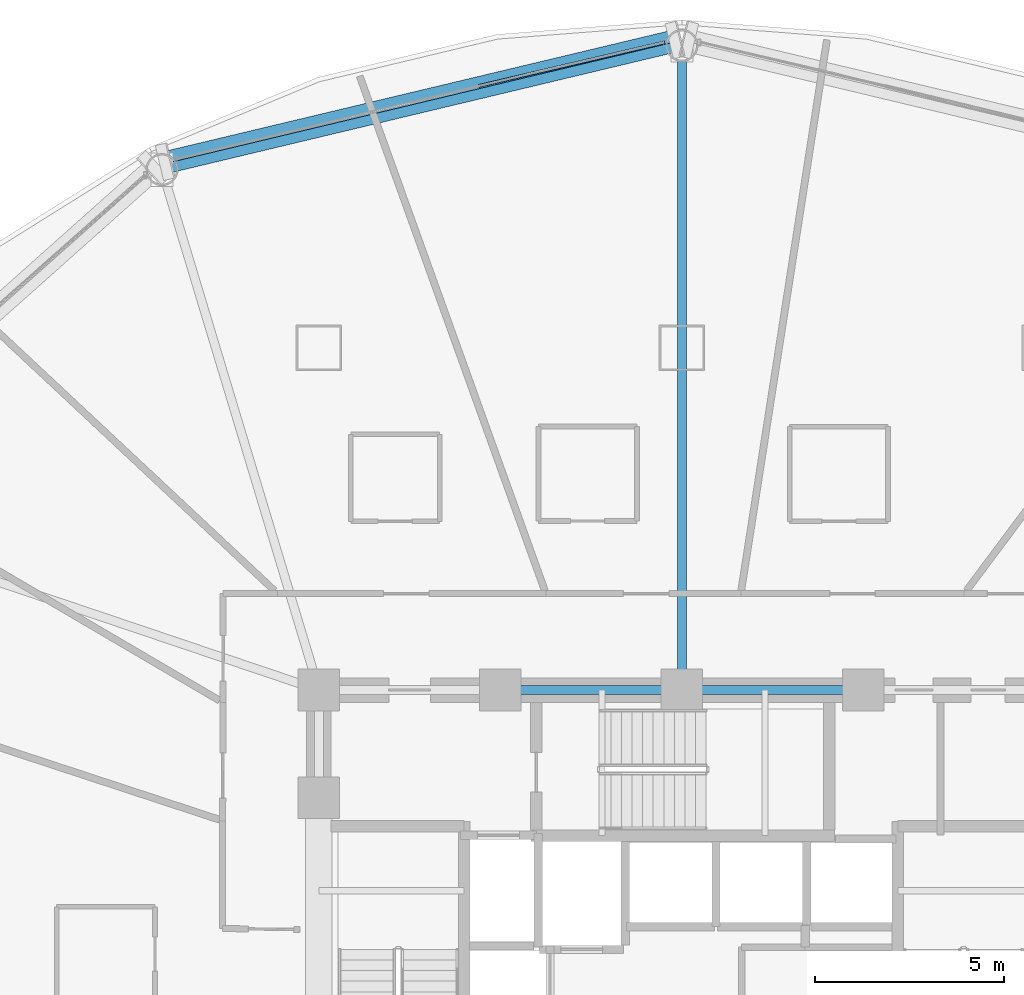
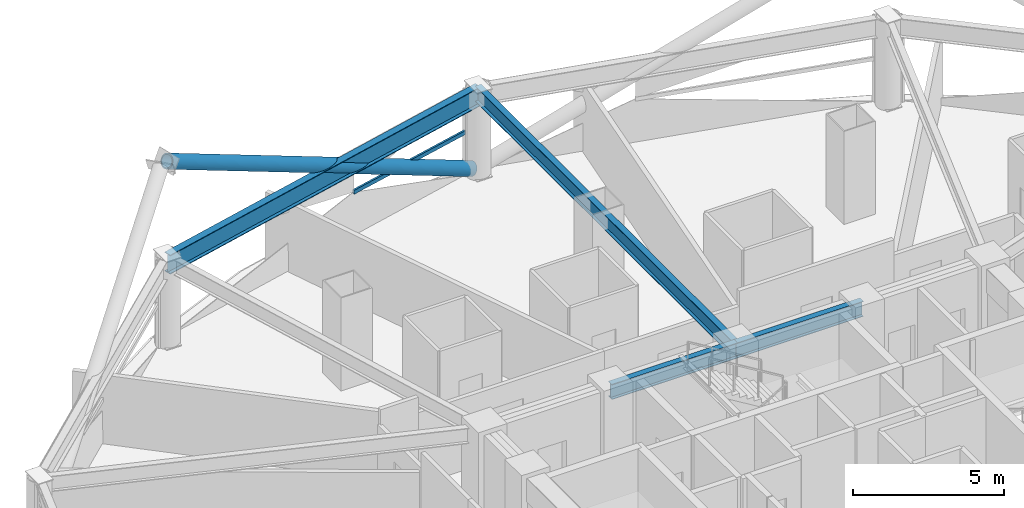
# One storey, part 16 of 30: 4 beams, 2 members, 1 element without a shape of its own.
"""IFC4 building model written with IfcOpenShell, lengths in metres."""

from ifc_helpers import new_model, si_unit, direction, frame, origin, origin_2d, place, context, subcontext, project, spatial, hollow_rectangle, hollow_circle, i_section, extrude, material, layer, layer_set, material_profile, profile_set, type_object, element, aggregate, save


model = new_model("IFC4")

# Units and contexts
model_context = context("Model", 3, precision=1e-05, world=origin(), true_north=direction((0.0, 1.0)))
body_context = subcontext(model_context, "Body", "Model", "MODEL_VIEW")
ifc_project = project(units=[si_unit("LENGTHUNIT", "METRE"), si_unit("AREAUNIT", "SQUARE_METRE"), si_unit("VOLUMEUNIT", "CUBIC_METRE"), si_unit("PLANEANGLEUNIT", "RADIAN"), si_unit("MASSUNIT", "GRAM", prefix="KILO")], contexts=[model_context])

# Site, building, storey
site_placement = place(None, origin())
site = spatial("IfcSite", under=ifc_project, at=site_placement, CompositionType="ELEMENT")
building_placement = place(site_placement, origin())
building = spatial("IfcBuilding", under=site, at=building_placement, Name="Vantalir Tower", CompositionType="ELEMENT")
storey_placement = place(building_placement, frame((0.0, 0.0, 79.5)))
storey = spatial("IfcBuildingStorey", under=building, at=storey_placement, Name="L19", CompositionType="ELEMENT", Elevation=79.5)

# Beams
ifc_material_1 = material(Name="Steel S355", Category="steel")
ifc_material_profile_1 = material_profile(ifc_material_1, i_section(OverallWidth=0.22998046875, OverallDepth=0.616943359375, WebThickness=0.01318359375, FlangeThickness=0.022216796875, at=origin_2d()), Name="Steel S355")
ifc_profile_set_1 = profile_set([ifc_material_profile_1], Name="Steel S355")
beam_type_1 = type_object("IfcBeamType", Name="BM-RB-610x229", PredefinedType="BEAM", material=ifc_profile_set_1)
for number, where, z_axis, x_axis, name in (
    (1, (36.300048828125, 32.449951171875, 3.261962890625), (-1.0, 0.0, 0.0), (0.0, -1.0, 0.0), "L19 Core Coupling Girder 09"),
    (2, (31.5, 32.449951171875, 3.261962890625), (-1.0, 0.0, 0.0), (0.0, -1.0, 0.0), "L19 Core Coupling Girder 10"),
):
    element("IfcBeam", number, at=place(storey_placement, frame(where, z_axis=z_axis, x_axis=x_axis)), inside=storey, type_object=beam_type_1, Name=name, PredefinedType="BEAM", context=body_context, shape_type="SweptSolid", body=[
        extrude(i_section(OverallWidth=0.22998046875, OverallDepth=0.616943359375, WebThickness=0.01318359375, FlangeThickness=0.022216796875, at=origin_2d()), origin(), (0.0, 0.0, 1.0), 4.800048828125),
    ])
beam_1_placement = place(storey_placement, frame((31.5, 49.4951171875, 3.261962890625), z_axis=(0.0, -1.0, 0.0), x_axis=(1.0, 0.0, 0.0)))
element("IfcBeam", 3, at=beam_1_placement, inside=storey, type_object=beam_type_1, Name="L19 Radial Floor Beam 04", PredefinedType="BEAM", context=body_context, shape_type="SweptSolid", body=[
    extrude(i_section(OverallWidth=0.22998046875, OverallDepth=0.616943359375, WebThickness=0.01318359375, FlangeThickness=0.022216796875, at=origin_2d()), origin(), (0.0, 0.0, 1.0), 17.045166015625),
])
ifc_material_2 = material(Name="Steel S460", Category="steel")
ifc_material_profile_2 = material_profile(ifc_material_2, i_section(OverallWidth=0.26806640625, OverallDepth=0.77001953125, WebThickness=0.015625, FlangeThickness=0.025390625, at=origin_2d()), Name="Steel S460")
ifc_profile_set_2 = profile_set([ifc_material_profile_2], Name="Steel S460")
beam_type_2 = type_object("IfcBeamType", Name="BM-RG-762x267", PredefinedType="USERDEFINED", material=ifc_profile_set_2)
beam_2_placement = place(storey_placement, frame((31.5, 49.4951171875, 3.18505859375), z_axis=(-0.972671890468, -0.232183964763, 0.0), x_axis=(0.232183964763, -0.972671890468, 0.0)))
element("IfcBeam", 4, at=beam_2_placement, inside=storey, type_object=beam_type_2, Name="L19 Circumferential Ring Girder 04", ObjectType="GIRDER", PredefinedType="USERDEFINED", context=body_context, shape_type="SweptSolid", body=[
    extrude(i_section(OverallWidth=0.26806640625, OverallDepth=0.77001953125, WebThickness=0.015625, FlangeThickness=0.025390625, at=origin_2d()), origin(), (0.0, 0.0, 1.0), 14.13623046875),
])

# Curtain wall, member
ifc_material_3 = material(Name="Champagne-silver PVDF aluminium and double-silver Low-E glass", Category="aluminium")
ifc_layer = layer(ifc_material_3, 0.18994140625)
ifc_layer_set = layer_set([ifc_layer], Name="Champagne-silver PVDF aluminium and double-silver Low-E glass")
curtain_wall_type = type_object("IfcCurtainWallType", Name="CW-DIAMOND-Z1", PredefinedType="USERDEFINED", material=ifc_layer_set)
curtain_wall_placement = place(storey_placement, origin())
curtain_wall = element("IfcCurtainWall", 5, at=curtain_wall_placement, inside=storey, type_object=curtain_wall_type, Name="L19 Quilted Pyramid-Diamond Curtain Wall S04", ObjectType="UNITISED CURTAIN WALL", PredefinedType="USERDEFINED")
ifc_material_4 = material(Name="Champagne-silver PVDF aluminium 6063-T6", Category="aluminium")
ifc_material_profile_3 = material_profile(ifc_material_4, hollow_rectangle(XDim=0.074951171875, YDim=0.159912109375, WallThickness=0.00390625, at=origin_2d()), Name="Champagne-silver PVDF aluminium 6063-T6")
ifc_profile_set_3 = profile_set([ifc_material_profile_3], Name="Champagne-silver PVDF aluminium 6063-T6")
member_type_1 = type_object("IfcMemberType", Name="CWT-160x75", PredefinedType="USERDEFINED", material=ifc_profile_set_3)
member_1_placement = place(storey_placement, frame((31.04296875, 49.575927734375, 1.784912109375), z_axis=(-0.973747013142, -0.227632937855, 0.0), x_axis=(0.227632937855, -0.973747013142, 0.0)))
member_1 = element("IfcMember", 6, at=member_1_placement, type_object=member_type_1, Name="CW-L19-S04 Pyramid Fold Ridge Transom", ObjectType="TRANSOM", PredefinedType="USERDEFINED", context=body_context, shape_type="SweptSolid", body=[
    extrude(hollow_rectangle(XDim=0.074951171875, YDim=0.159912109375, WallThickness=0.00390625, at=origin_2d()), origin(), (0.0, 0.0, 1.0), 5.051513671875),
])
aggregate(curtain_wall, [member_1])

# Member
ifc_material_profile_4 = material_profile(ifc_material_2, hollow_circle(Radius=0.27001953125, WallThickness=0.044921875, at=origin_2d()), Name="Steel S460")
ifc_profile_set_4 = profile_set([ifc_material_profile_4], Name="Steel S460")
member_type_2 = type_object("IfcMemberType", Name="MEM-DB-540x45", PredefinedType="BRACE", material=ifc_profile_set_4)
member_2_placement = place(storey_placement, frame((31.30908203125, 49.638916015625, 0.178955078125), z_axis=(-0.868927817493, -0.207490098844, 0.449346533166), x_axis=(0.232258742667, -0.972654037392, 0.0)))
element("IfcMember", 7, at=member_2_placement, inside=storey, type_object=member_type_2, Name="L19 Perimeter S460 Diagrid Brace R10L", PredefinedType="BRACE", context=body_context, shape_type="SweptSolid", body=[
    extrude(hollow_circle(Radius=0.27001953125, WallThickness=0.044921875, at=origin_2d()), origin(), (0.0, 0.0, 1.0), 15.493896484375),
])

save(model, "model.ifc")
